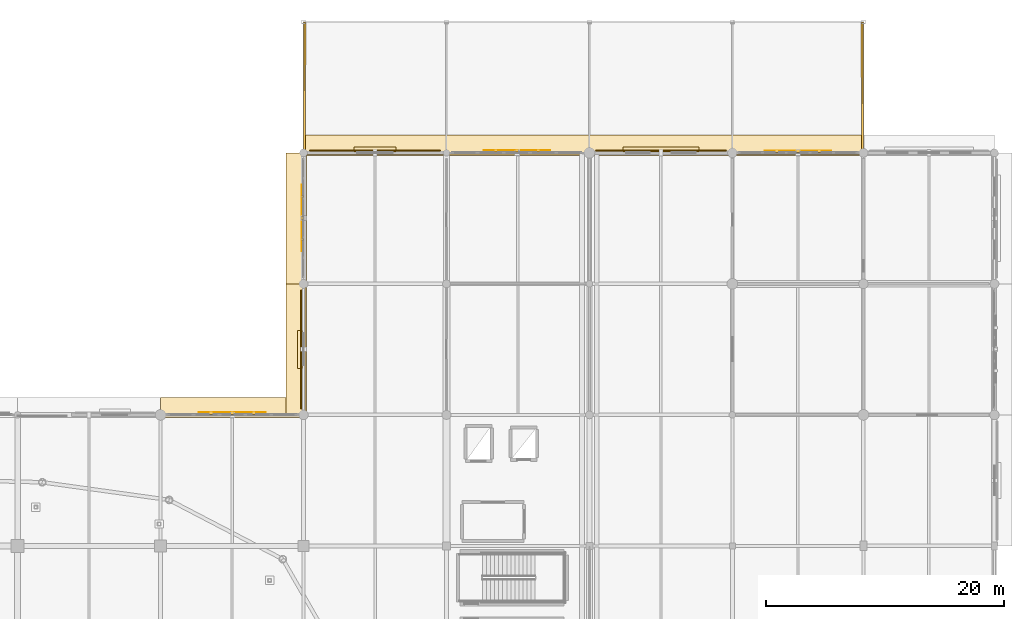
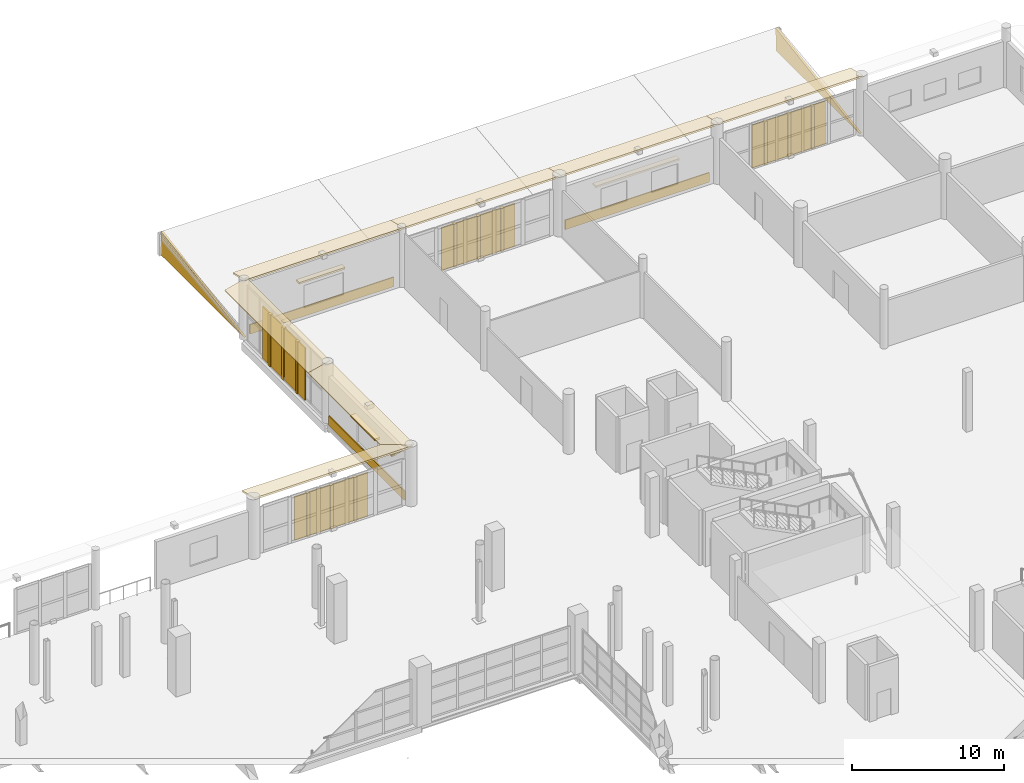
# One storey, part 142 of 143: 27 coverings, 4 shading devices.
"""IFC4 building model written with IfcOpenShell, lengths in metres."""

from ifc_helpers import new_model, si_unit, direction, frame, origin, origin_2d, place, context, subcontext, project, spatial, polyline, rectangle, outline, extrude, material, layer, layer_set, type_object, element, save


model = new_model("IFC4")

# Units and contexts
model_context = context("Model", 3, precision=1e-05, world=origin(), true_north=direction((0.0, 1.0)))
body_context = subcontext(model_context, "Body", "Model", "MODEL_VIEW")
ifc_project = project(units=[si_unit("LENGTHUNIT", "METRE"), si_unit("AREAUNIT", "SQUARE_METRE"), si_unit("VOLUMEUNIT", "CUBIC_METRE"), si_unit("PLANEANGLEUNIT", "RADIAN"), si_unit("MASSUNIT", "GRAM", prefix="KILO")], contexts=[model_context])

# Site, building, storey
site_placement = place(None, origin())
site = spatial("IfcSite", under=ifc_project, at=site_placement, CompositionType="ELEMENT")
building_placement = place(site_placement, origin())
building = spatial("IfcBuilding", under=site, at=building_placement, Name="Luwafu Chhajja Arena", CompositionType="ELEMENT")
storey_placement = place(building_placement, frame((0.0, 0.0, 5.39990234375)))
storey = spatial("IfcBuildingStorey", under=building, at=storey_placement, Name="L01", CompositionType="ELEMENT", Elevation=5.39990234375)

# Coverings
ifc_material_1 = material(Name="Red laterite sandstone cladding", Category="masonry")
ifc_layer_1 = layer(ifc_material_1, 0.074951171875, Name="Red laterite sandstone cladding")
ifc_layer_set_1 = layer_set([ifc_layer_1], Name="Red laterite sandstone cladding")
covering_type = type_object("IfcCoveringType", Name="Dressed Red-Laterite Sandstone Cladding", PredefinedType="CLADDING", material=ifc_layer_set_1)
covering_1_placement = place(storey_placement, frame((140.0, 121.0, 0.0), z_axis=(-0.99976590293, 0.0, 0.021636527854), x_axis=(0.0, 1.0, 0.0)))
element("IfcCovering", 1, at=covering_1_placement, inside=storey, type_object=covering_type, Name="L01 Cloister End Gable Cladding EW", PredefinedType="CLADDING", context=body_context, shape_type="SweptSolid", body=[
    extrude(outline(polyline([(0.0, 0.0), (11.0, 0.0), (11.0, -1.8505308601013986), (0.0, 0.0)])), origin(), (0.0, 0.0, -1.0), 0.159912109375),
])
covering_2_placement = place(storey_placement, frame((187.0, 121.0, 0.0), z_axis=(0.99976590293, 0.0, 0.021636527854), x_axis=(0.0, 1.0, 0.0)))
element("IfcCovering", 2, at=covering_2_placement, inside=storey, type_object=covering_type, Name="L01 Cloister End Gable Cladding EE", PredefinedType="CLADDING", context=body_context, shape_type="SweptSolid", body=[
    extrude(outline(polyline([(0.0, 0.0), (11.0, 0.0), (11.0, 1.8505308601013986), (0.0, 0.0)])), origin(), (0.0, 0.0, -1.0), 0.159912109375),
])
covering_3_placement = place(storey_placement, frame((128.0, 98.800048828125, 4.760009765625), z_axis=(0.0, 0.242502450825, 0.970150793096), x_axis=(1.0, 0.0, 0.0)))
element("IfcCovering", 3, at=covering_3_placement, inside=storey, type_object=covering_type, Name="L01 Continuous Sloped Sandstone Chhajja Eave 0101", PredefinedType="CLADDING", context=body_context, shape_type="SweptSolid", body=[
    extrude(outline(polyline([(0.0, 0.0), (12.0, 0.0), (12.0, 1.731619097341133), (0.0, 1.731619097341133), (0.0, 0.0)])), origin(), (0.0, 0.0, -1.0), 0.1298828125),
])
for number, where, z_axis, x_axis, name in (
    (4, (132.23291015625, 99.169921875, 0.0), (0.0, 0.0, 1.0), (1.0, 0.0, 0.0), "L01 Sandstone Jali Mullion Fin 017"),
    (5, (134.02490234375, 99.169921875, 0.0), (0.0, 0.0, 1.0), (1.0, 0.0, 0.0), "L01 Sandstone Jali Mullion Fin 017"),
    (6, (135.81689453125, 99.169921875, 0.0), (0.0, 0.0, 1.0), (1.0, 0.0, 0.0), "L01 Sandstone Jali Mullion Fin 017"),
):
    element("IfcCovering", number, at=place(storey_placement, frame(where, z_axis=z_axis, x_axis=x_axis)), inside=storey, type_object=covering_type, Name=name, PredefinedType="CLADDING", context=body_context, shape_type="SweptSolid", body=[
        extrude(rectangle(XDim=0.219970703125, YDim=0.239990234375, at=origin_2d()), origin(), (0.0, 0.0, 1.0), 3.519775390625),
    ])
covering_4_placement = place(storey_placement, frame((140.199951171875, 99.0, 4.760009765625), z_axis=(-0.242502450825, 0.0, 0.970150793096), x_axis=(0.0, 1.0, 0.0)))
element("IfcCovering", 7, at=covering_4_placement, inside=storey, type_object=covering_type, Name="L01 Continuous Sloped Sandstone Chhajja Eave 0104", PredefinedType="CLADDING", context=body_context, shape_type="SweptSolid", body=[
    extrude(outline(polyline([(0.0, 0.0), (11.0, 0.0), (11.0, 1.731619097341133), (0.0, 1.731619097341133), (0.0, 0.0)])), origin(), (0.0, 0.0, -1.0), 0.1298828125),
])
covering_5_placement = place(storey_placement, frame((139.827880859375, 104.5, 0.0), z_axis=(0.0, 0.0, 1.0), x_axis=(0.0, 1.0, 0.0)))
element("IfcCovering", 8, at=covering_5_placement, inside=storey, type_object=covering_type, Name="L01 Red-Laterite Sandstone Plinth Cladding 027", PredefinedType="CLADDING", context=body_context, shape_type="SweptSolid", body=[
    extrude(rectangle(XDim=9.9599609375, YDim=0.0849609375, at=origin_2d()), origin(), (0.0, 0.0, 1.0), 0.760009765625),
])
covering_6_placement = place(storey_placement, frame((139.699951171875, 104.5, 2.830078125), z_axis=(0.0, 0.0, 1.0), x_axis=(0.0, 1.0, 0.0)))
element("IfcCovering", 9, at=covering_6_placement, inside=storey, type_object=covering_type, Name="L01 Mughal Sandstone Window Chhajja Hood 0026", PredefinedType="CLADDING", context=body_context, shape_type="SweptSolid", body=[
    extrude(rectangle(XDim=3.199951171875, YDim=0.419921875, at=origin_2d()), origin(), (0.0, 0.0, 1.0), 0.139892578125),
])
covering_7_placement = place(storey_placement, frame((140.0, 120.800048828125, 4.760009765625), z_axis=(0.0, 0.242502450825, 0.970150793096), x_axis=(1.0, 0.0, 0.0)))
element("IfcCovering", 10, at=covering_7_placement, inside=storey, type_object=covering_type, Name="L01 Continuous Sloped Sandstone Chhajja Eave 0105", PredefinedType="CLADDING", context=body_context, shape_type="SweptSolid", body=[
    extrude(outline(polyline([(0.0, 0.0), (12.0, 0.0), (12.0, 1.731619097341133), (0.0, 1.731619097341133), (0.0, 0.0)])), origin(), (0.0, 0.0, -1.0), 0.1298828125),
])
covering_8_placement = place(storey_placement, frame((146.0, 121.172119140625, 0.0), z_axis=(0.0, 0.0, 1.0), x_axis=(1.0, 0.0, 0.0)))
element("IfcCovering", 11, at=covering_8_placement, inside=storey, type_object=covering_type, Name="L01 Red-Laterite Sandstone Plinth Cladding 028", PredefinedType="CLADDING", context=body_context, shape_type="SweptSolid", body=[
    extrude(rectangle(XDim=10.9599609375, YDim=0.0849609375, at=origin_2d()), origin(), (0.0, 0.0, 1.0), 0.760009765625),
])
covering_9_placement = place(storey_placement, frame((146.0, 121.300048828125, 2.72998046875), z_axis=(0.0, 0.0, 1.0), x_axis=(1.0, 0.0, 0.0)))
element("IfcCovering", 12, at=covering_9_placement, inside=storey, type_object=covering_type, Name="L01 Mughal Sandstone Window Chhajja Hood 0027", PredefinedType="CLADDING", context=body_context, shape_type="SweptSolid", body=[
    extrude(rectangle(XDim=3.5, YDim=0.419921875, at=origin_2d()), origin(), (0.0, 0.0, 1.0), 0.139892578125),
])
covering_10_placement = place(storey_placement, frame((140.199951171875, 110.0, 4.760009765625), z_axis=(-0.242502450825, 0.0, 0.970150793096), x_axis=(0.0, 1.0, 0.0)))
element("IfcCovering", 13, at=covering_10_placement, inside=storey, type_object=covering_type, Name="L01 Continuous Sloped Sandstone Chhajja Eave 0106", PredefinedType="CLADDING", context=body_context, shape_type="SweptSolid", body=[
    extrude(outline(polyline([(0.0, 0.0), (11.0, 0.0), (11.0, 1.731619097341133), (0.0, 1.731619097341133), (0.0, 0.0)])), origin(), (0.0, 0.0, -1.0), 0.1298828125),
])
for number, where, z_axis, x_axis, name in (
    (14, (139.889892578125, 113.73291015625, 0.0), (0.0, 0.0, 1.0), (0.0, 1.0, 0.0), "L01 Sandstone Jali Mullion Fin 020"),
    (15, (139.889892578125, 115.52490234375, 0.0), (0.0, 0.0, 1.0), (0.0, 1.0, 0.0), "L01 Sandstone Jali Mullion Fin 020"),
    (16, (139.889892578125, 117.31689453125, 0.0), (0.0, 0.0, 1.0), (0.0, 1.0, 0.0), "L01 Sandstone Jali Mullion Fin 020"),
):
    element("IfcCovering", number, at=place(storey_placement, frame(where, z_axis=z_axis, x_axis=x_axis)), inside=storey, type_object=covering_type, Name=name, PredefinedType="CLADDING", context=body_context, shape_type="SweptSolid", body=[
        extrude(rectangle(XDim=0.219970703125, YDim=0.239990234375, at=origin_2d()), origin(), (0.0, 0.0, 1.0), 4.215087890625),
    ])
covering_11_placement = place(storey_placement, frame((152.0, 120.800048828125, 4.760009765625), z_axis=(0.0, 0.242502450825, 0.970150793096), x_axis=(1.0, 0.0, 0.0)))
element("IfcCovering", 17, at=covering_11_placement, inside=storey, type_object=covering_type, Name="L01 Continuous Sloped Sandstone Chhajja Eave 0109", PredefinedType="CLADDING", context=body_context, shape_type="SweptSolid", body=[
    extrude(outline(polyline([(0.0, 0.0), (12.0, 0.0), (12.0, 1.731619097341133), (0.0, 1.731619097341133), (0.0, 0.0)])), origin(), (0.0, 0.0, -1.0), 0.1298828125),
])
for number, where, z_axis, x_axis, name in (
    (18, (156.12060546875, 121.169921875, 0.0), (0.0, 0.0, 1.0), (1.0, 0.0, 0.0), "L01 Sandstone Jali Mullion Fin 022"),
    (19, (157.91259765625, 121.169921875, 0.0), (0.0, 0.0, 1.0), (1.0, 0.0, 0.0), "L01 Sandstone Jali Mullion Fin 022"),
    (20, (159.70458984375, 121.169921875, 0.0), (0.0, 0.0, 1.0), (1.0, 0.0, 0.0), "L01 Sandstone Jali Mullion Fin 022"),
):
    element("IfcCovering", number, at=place(storey_placement, frame(where, z_axis=z_axis, x_axis=x_axis)), inside=storey, type_object=covering_type, Name=name, PredefinedType="CLADDING", context=body_context, shape_type="SweptSolid", body=[
        extrude(rectangle(XDim=0.219970703125, YDim=0.239990234375, at=origin_2d()), origin(), (0.0, 0.0, 1.0), 3.455078125),
    ])
covering_12_placement = place(storey_placement, frame((164.0, 120.800048828125, 4.760009765625), z_axis=(0.0, 0.242502450825, 0.970150793096), x_axis=(1.0, 0.0, 0.0)))
element("IfcCovering", 21, at=covering_12_placement, inside=storey, type_object=covering_type, Name="L01 Continuous Sloped Sandstone Chhajja Eave 0111", PredefinedType="CLADDING", context=body_context, shape_type="SweptSolid", body=[
    extrude(outline(polyline([(0.0, 0.0), (12.0, 0.0), (12.0, 1.731619097341133), (0.0, 1.731619097341133), (0.0, 0.0)])), origin(), (0.0, 0.0, -1.0), 0.1298828125),
])
covering_13_placement = place(storey_placement, frame((170.0, 121.172119140625, 0.0), z_axis=(0.0, 0.0, 1.0), x_axis=(1.0, 0.0, 0.0)))
element("IfcCovering", 22, at=covering_13_placement, inside=storey, type_object=covering_type, Name="L01 Red-Laterite Sandstone Plinth Cladding 031", PredefinedType="CLADDING", context=body_context, shape_type="SweptSolid", body=[
    extrude(rectangle(XDim=10.9599609375, YDim=0.0849609375, at=origin_2d()), origin(), (0.0, 0.0, 1.0), 0.760009765625),
])
covering_14_placement = place(storey_placement, frame((170.0, 121.300048828125, 2.580078125), z_axis=(0.0, 0.0, 1.0), x_axis=(1.0, 0.0, 0.0)))
element("IfcCovering", 23, at=covering_14_placement, inside=storey, type_object=covering_type, Name="L01 Mughal Sandstone Window Chhajja Hood 0030", PredefinedType="CLADDING", context=body_context, shape_type="SweptSolid", body=[
    extrude(rectangle(XDim=6.353515625, YDim=0.419921875, at=origin_2d()), origin(), (0.0, 0.0, 1.0), 0.139892578125),
])
covering_15_placement = place(storey_placement, frame((176.0, 120.800048828125, 4.760009765625), z_axis=(0.0, 0.242502450825, 0.970150793096), x_axis=(1.0, 0.0, 0.0)))
element("IfcCovering", 24, at=covering_15_placement, inside=storey, type_object=covering_type, Name="L01 Continuous Sloped Sandstone Chhajja Eave 0113", PredefinedType="CLADDING", context=body_context, shape_type="SweptSolid", body=[
    extrude(outline(polyline([(0.0, 0.0), (11.0, 0.0), (11.0, 1.731619097341133), (0.0, 1.731619097341133), (0.0, 0.0)])), origin(), (0.0, 0.0, -1.0), 0.1298828125),
])
for number, where, z_axis, x_axis, name in (
    (25, (179.720458984375, 121.1298828125, 0.0), (0.0, 0.0, 1.0), (1.0, 0.0, 0.0), "L01 Sandstone Jali Mullion Fin 023"),
    (26, (181.512451171875, 121.1298828125, 0.0), (0.0, 0.0, 1.0), (1.0, 0.0, 0.0), "L01 Sandstone Jali Mullion Fin 023"),
    (27, (183.304443359375, 121.1298828125, 0.0), (0.0, 0.0, 1.0), (1.0, 0.0, 0.0), "L01 Sandstone Jali Mullion Fin 023"),
):
    element("IfcCovering", number, at=place(storey_placement, frame(where, z_axis=z_axis, x_axis=x_axis)), inside=storey, type_object=covering_type, Name=name, PredefinedType="CLADDING", context=body_context, shape_type="SweptSolid", body=[
        extrude(rectangle(XDim=0.219970703125, YDim=0.239990234375, at=origin_2d()), origin(), (0.0, 0.0, 1.0), 3.455078125),
    ])

# Shading devices
ifc_material_2 = material(Name="Pierced buff sandstone jali", Category="masonry")
ifc_layer_2 = layer(ifc_material_2, 0.080078125, Name="Pierced buff sandstone jali")
ifc_layer_set_2 = layer_set([ifc_layer_2], Name="Pierced buff sandstone jali")
shading_device_type = type_object("IfcShadingDeviceType", Name="Pierced Buff-Sandstone Jali Screen", PredefinedType="JALOUSIE", material=ifc_layer_set_2)
shading_device_1_placement = place(storey_placement, frame((134.02490234375, 99.169921875, 0.0), z_axis=(0.0, 0.0, 1.0), x_axis=(1.0, 0.0, 0.0)))
element("IfcShadingDevice", 28, at=shading_device_1_placement, inside=storey, type_object=shading_device_type, Name="L01 Pierced Buff-Sandstone Jali Screen 017", PredefinedType="JALOUSIE", context=body_context, shape_type="SweptSolid", body=[
    extrude(rectangle(XDim=5.60009765625, YDim=0.080078125, at=origin_2d()), origin(), (0.0, 0.0, 1.0), 3.519775390625),
])
shading_device_2_placement = place(storey_placement, frame((139.889892578125, 115.52490234375, 0.0), z_axis=(0.0, 0.0, 1.0), x_axis=(0.0, 1.0, 0.0)))
element("IfcShadingDevice", 29, at=shading_device_2_placement, inside=storey, type_object=shading_device_type, Name="L01 Pierced Buff-Sandstone Jali Screen 020", PredefinedType="JALOUSIE", context=body_context, shape_type="SweptSolid", body=[
    extrude(rectangle(XDim=5.60009765625, YDim=0.080078125, at=origin_2d()), origin(), (0.0, 0.0, 1.0), 4.215087890625),
])
for number, where, z_axis, x_axis, name in (
    (30, (157.91259765625, 121.169921875, 0.0), (0.0, 0.0, 1.0), (1.0, 0.0, 0.0), "L01 Pierced Buff-Sandstone Jali Screen 022"),
    (31, (181.512451171875, 121.1298828125, 0.0), (0.0, 0.0, 1.0), (1.0, 0.0, 0.0), "L01 Pierced Buff-Sandstone Jali Screen 023"),
):
    element("IfcShadingDevice", number, at=place(storey_placement, frame(where, z_axis=z_axis, x_axis=x_axis)), inside=storey, type_object=shading_device_type, Name=name, PredefinedType="JALOUSIE", context=body_context, shape_type="SweptSolid", body=[
        extrude(rectangle(XDim=5.60009765625, YDim=0.080078125, at=origin_2d()), origin(), (0.0, 0.0, 1.0), 3.455078125),
    ])

save(model, "model.ifc")
